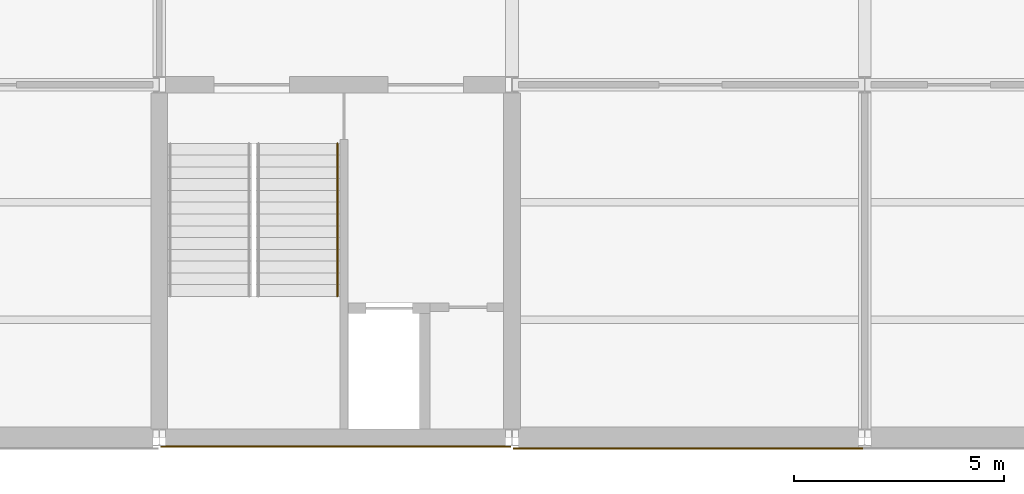
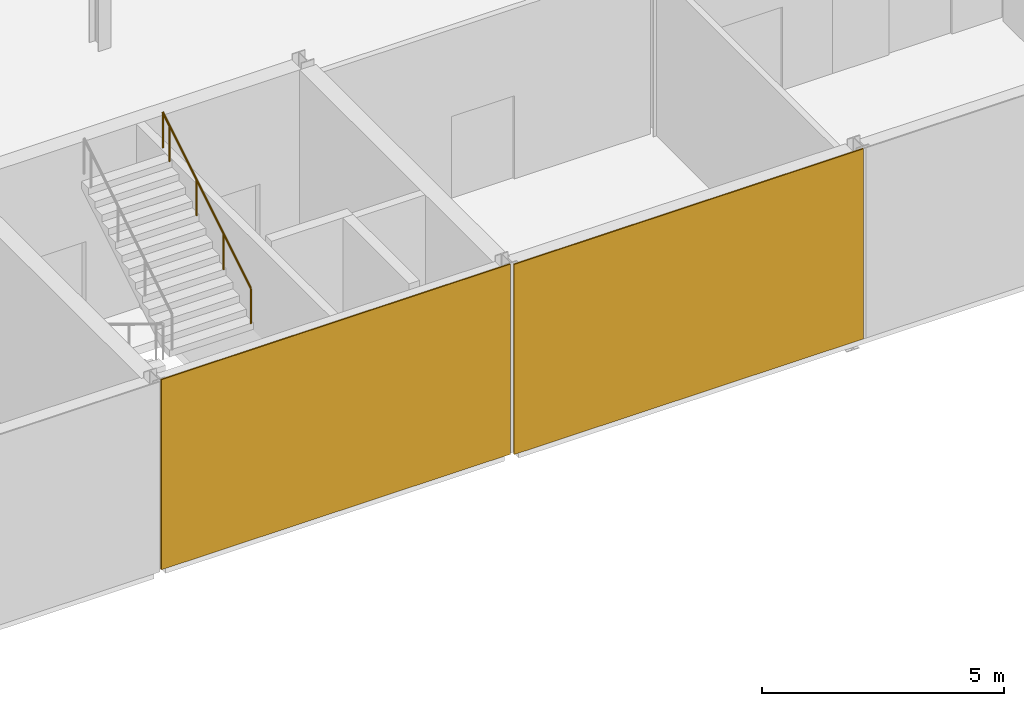
# One storey, part 46 of 57: 2 coverings, 1 railing.
"""IFC4 building model written with IfcOpenShell, lengths in metres."""

from ifc_helpers import new_model, si_unit, direction, frame, origin, origin_2d, place, context, subcontext, project, spatial, rectangle, circle, extrude, material, layer, layer_set, type_object, element, save


model = new_model("IFC4")

# Units and contexts
model_context = context("Model", 3, precision=1e-05, world=origin(), true_north=direction((0.0, 1.0)))
body_context = subcontext(model_context, "Body", "Model", "MODEL_VIEW")
ifc_project = project(units=[si_unit("LENGTHUNIT", "METRE"), si_unit("AREAUNIT", "SQUARE_METRE"), si_unit("VOLUMEUNIT", "CUBIC_METRE"), si_unit("PLANEANGLEUNIT", "RADIAN"), si_unit("MASSUNIT", "GRAM", prefix="KILO")], contexts=[model_context])

# Site, building, storey
site_placement = place(None, origin())
site = spatial("IfcSite", under=ifc_project, at=site_placement, CompositionType="ELEMENT")
building_placement = place(site_placement, origin())
building = spatial("IfcBuilding", under=site, at=building_placement, Name="Galleria Vessillo Department Store", CompositionType="ELEMENT")
storey_placement = place(building_placement, frame((0.0, 0.0, 21.0)))
storey = spatial("IfcBuildingStorey", under=building, at=storey_placement, Name="L04", CompositionType="ELEMENT", Elevation=21.0)

# Coverings
ifc_material_1 = material(Name="Lime plaster (intonaco) ochre")
ifc_layer = layer(ifc_material_1, 0.030029296875)
ifc_layer_set = layer_set([ifc_layer], Name="Lime plaster (intonaco) ochre")
covering_type = type_object("IfcCoveringType", Name="Lime plaster render 30 mm", PredefinedType="CLADDING", material=ifc_layer_set)
covering_1_placement = place(storey_placement, frame((79.800048828125, -0.215087890625, 0.0), z_axis=(0.0, 0.0, 1.0), x_axis=(1.0, 0.0, 0.0)))
element("IfcCovering", 1, at=covering_1_placement, inside=storey, type_object=covering_type, Name="Wall cladding S-CW-PC-SE-PARTY-L04", PredefinedType="CLADDING", context=body_context, shape_type="SweptSolid", body=[
    extrude(rectangle(XDim=8.33984375, YDim=0.030029296875, at=origin_2d()), origin(), (0.0, 0.0, 1.0), 4.800048828125),
])
covering_2_placement = place(storey_placement, frame((88.199951171875, -0.264892578125, 0.0), z_axis=(0.0, 0.0, 1.0), x_axis=(1.0, 0.0, 0.0)))
element("IfcCovering", 2, at=covering_2_placement, inside=storey, type_object=covering_type, Name="Wall cladding S-PS-L04-07", PredefinedType="CLADDING", context=body_context, shape_type="SweptSolid", body=[
    extrude(rectangle(XDim=8.340087890625, YDim=0.030029296875, at=origin_2d()), origin(), (0.0, 0.0, 1.0), 4.800048828125),
])

# Railing
ifc_material_2 = material(Name="Stainless steel tube", Category="steel")
railing_type = type_object("IfcRailingType", Name="Stair handrail steel tube 48 mm", PredefinedType="HANDRAIL", material=ifc_material_2)
railing_placement = place(storey_placement, frame((79.83984375, 3.360107421875, 2.5712890625)))
element("IfcRailing", 3, at=railing_placement, inside=storey, type_object=railing_type, Name="Handrail ST5 L04 flight 2B", PredefinedType="HANDRAIL", context=body_context, shape_type="SweptSolid", body=[
    extrude(circle(Radius=0.02392578125, at=origin_2d()), frame((0.0, 0.0, 0.89599609375), z_axis=(0.0, 0.852849614702, 0.52215661894), x_axis=(-1.0, 0.0, 0.0)), (0.0, 0.0, 1.0), 1.3134765625),
    extrude(circle(Radius=0.02392578125, at=origin_2d()), frame((0.0, 1.1201171875, 1.58154296875), z_axis=(0.0, 0.852798921012, 0.522239409008), x_axis=(-1.0, 0.0, 0.0)), (0.0, 0.0, 1.0), 1.313232421875),
    extrude(circle(Radius=0.02392578125, at=origin_2d()), frame((0.0, 2.239990234375, 2.267578125), z_axis=(0.0, 0.852932391421, 0.522021393877), x_axis=(-1.0, 0.0, 0.0)), (0.0, 0.0, 1.0), 1.313232421875),
    extrude(circle(Radius=0.02392578125, at=origin_2d()), frame((0.0, 3.360107421875, 2.953125), z_axis=(0.0, 0.852729557261, 0.522352660731), x_axis=(-1.0, 0.0, 0.0)), (0.0, 0.0, 1.0), 0.328125),
    extrude(circle(Radius=0.02099609375, at=origin_2d()), origin(), (0.0, 0.0, 1.0), 0.871826171875),
    extrude(circle(Radius=0.02099609375, at=origin_2d()), frame((0.0, 1.1201171875, 0.685791015625)), (0.0, 0.0, 1.0), 0.871826171875),
    extrude(circle(Radius=0.02099609375, at=origin_2d()), frame((0.0, 2.239990234375, 1.37158203125)), (0.0, 0.0, 1.0), 0.871826171875),
    extrude(circle(Radius=0.02099609375, at=origin_2d()), frame((0.0, 3.360107421875, 2.05712890625)), (0.0, 0.0, 1.0), 0.871826171875),
    extrude(circle(Radius=0.02099609375, at=origin_2d()), frame((0.0, 3.639892578125, 2.228515625)), (0.0, 0.0, 1.0), 0.871826171875),
])

save(model, "model.ifc")
